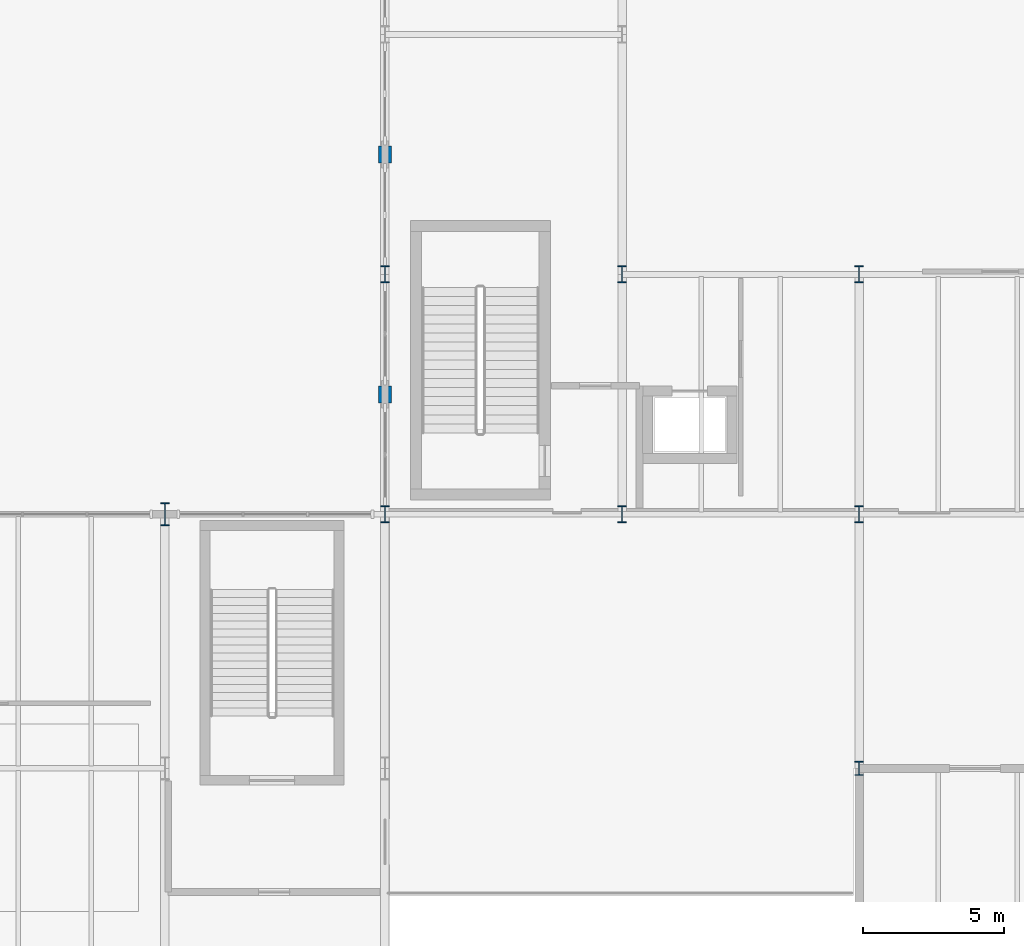
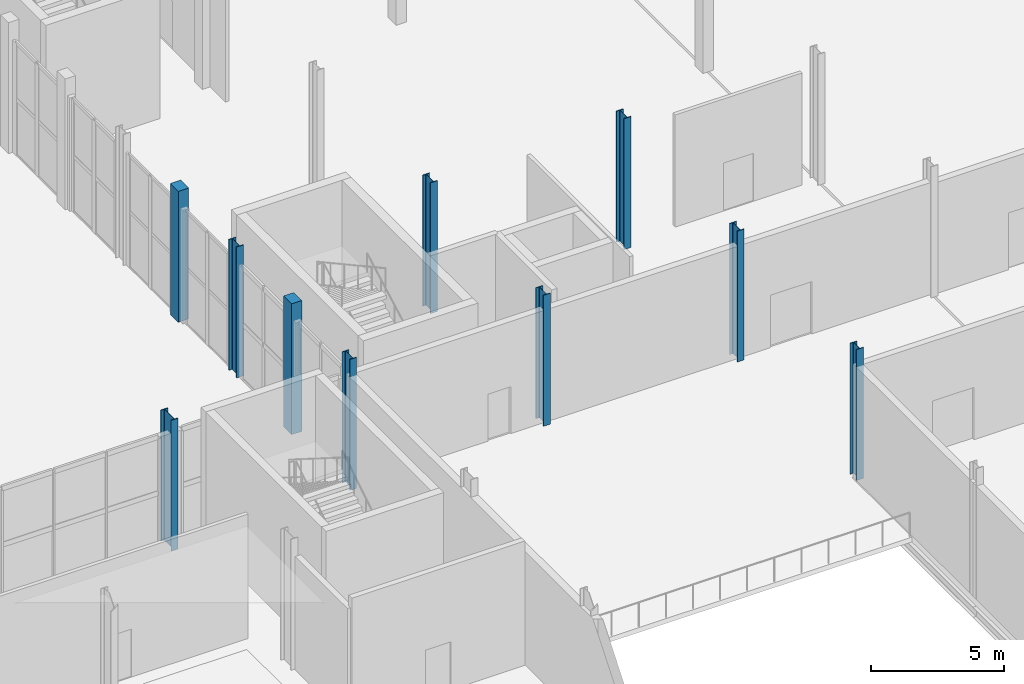
# One storey, part 7 of 84: 10 columns.
"""IFC4 building model written with IfcOpenShell, lengths in metres."""

import ifcopenshell
import ifcopenshell.guid

model = None  # the IFC model being written
_history = None  # IfcOwnerHistory: only IFC2X3 demands one
_inside = {}  # id of a spatial element -> (the spatial element, [elements in it])
_under = {}  # id of a project, library or spatial element -> (it, [spatial elements below it])
_declared = {}  # id of a project -> (the project, [libraries it declares])
_typed = {}  # id of a type object -> (the type object, [elements of that type])
_made_of = {}  # id of a material, layer set ... -> (it, [elements and type objects made of it])


def new_model(schema):
    """Start an empty IFC model of exactly this schema.

    Asked for "IFC4X3", IfcOpenShell would pick the latest addendum, in which some entities
    have other attributes; the version numbers below select the first issue.
    IFC2X3 requires an IfcOwnerHistory on every rooted entity: one is made here for all.
    """
    global model, _history
    if schema == "IFC4X3":
        model = ifcopenshell.file(schema_version=(4, 3, 0, 0))
    else:
        model = ifcopenshell.file(schema=schema)
    _inside.clear()
    _under.clear()
    _declared.clear()
    _typed.clear()
    _made_of.clear()
    _history = None
    if model.schema == "IFC2X3":
        org = make("IfcOrganization", Name="unknown")
        user = make(
            "IfcPersonAndOrganization",
            ThePerson=make("IfcPerson", FamilyName="unknown"),
            TheOrganization=org,
        )
        app = make(
            "IfcApplication",
            ApplicationDeveloper=org,
            Version="unknown",
            ApplicationFullName="unknown",
            ApplicationIdentifier="unknown",
        )
        _history = make(
            "IfcOwnerHistory",
            OwningUser=user,
            OwningApplication=app,
            ChangeAction="ADDED",
            CreationDate=0,
        )
    return model


def make(cls, **values):
    """One entity of the class cls with the attributes given. An attribute that is None is left unset."""
    return model.create_entity(
        cls, **{name: value for name, value in values.items() if value is not None}
    )


def rooted(cls, **values):
    """An entity with a GlobalId (a new one), such as an element, a storey or a relation."""
    return make(cls, GlobalId=ifcopenshell.guid.new(), OwnerHistory=_history, **values)


def si_unit(unit_type, name, prefix=None):
    """IfcSIUnit, for example si_unit("LENGTHUNIT", "METRE", prefix="MILLI")."""
    return make("IfcSIUnit", UnitType=unit_type, Prefix=prefix, Name=name)


def assignment(units):
    """IfcUnitAssignment: the units of a project."""
    return None if units is None else make("IfcUnitAssignment", Units=units)


def point(xyz):
    """IfcCartesianPoint."""
    return None if xyz is None else make("IfcCartesianPoint", Coordinates=xyz)


def direction(xyz):
    """IfcDirection."""
    return None if xyz is None else make("IfcDirection", DirectionRatios=xyz)


def frame(location, z_axis=None, x_axis=None):
    """IfcAxis2Placement3D, a coordinate frame: its origin and axes. An axis left out is left unset."""
    return make(
        "IfcAxis2Placement3D",
        Location=point(location),
        Axis=direction(z_axis),
        RefDirection=direction(x_axis),
    )


def frame_2d(location, x_axis=None):
    """IfcAxis2Placement2D, a coordinate frame in the plane: its origin and x axis."""
    return make(
        "IfcAxis2Placement2D", Location=point(location), RefDirection=direction(x_axis)
    )


def origin():
    """The frame at (0, 0, 0) with its axes left unset."""
    return frame((0.0, 0.0, 0.0))


def origin_2d():
    """The frame at (0, 0) in the plane with its x axis left unset."""
    return frame_2d((0.0, 0.0))


def place(relative_to, where):
    """IfcLocalPlacement: puts the frame where relative to a parent placement (None: the world)."""
    return make(
        "IfcLocalPlacement", PlacementRelTo=relative_to, RelativePlacement=where
    )


def context(
    kind, dimensions, precision=None, world=None, true_north=None, identifier=None
):
    """IfcGeometricRepresentationContext, for example the 3D "Model" context."""
    return make(
        "IfcGeometricRepresentationContext",
        ContextIdentifier=identifier,
        ContextType=kind,
        CoordinateSpaceDimension=dimensions,
        Precision=precision,
        WorldCoordinateSystem=world,
        TrueNorth=true_north,
    )


def subcontext(parent, identifier, kind, view, scale=None):
    """IfcGeometricRepresentationSubContext, for example "Body" below "Model"."""
    return make(
        "IfcGeometricRepresentationSubContext",
        ContextIdentifier=identifier,
        ContextType=kind,
        ParentContext=parent,
        TargetScale=scale,
        TargetView=view,
    )


def project(units=None, contexts=None):
    """IfcProject with its units and contexts."""
    return rooted(
        "IfcProject",
        Name="project",
        RepresentationContexts=contexts,
        UnitsInContext=assignment(units),
    )


def spatial(cls, under=None, at=None, **own):
    """A site, building, storey or space (cls), placed at a placement, below another one or the project."""
    s = rooted(cls, ObjectPlacement=at, **own)
    if under is not None:
        _under.setdefault(under.id(), (under, []))[1].append(s)
    return s


def profile(cls, at=None, kind="AREA", **sizes):
    """A parametric profile (cls). Its sizes go by their IFC names, for example OverallWidth=200.0."""
    return make(cls, ProfileType=kind, Position=at, **sizes)


def rectangle(**sizes):
    """IfcRectangleProfileDef."""
    return profile("IfcRectangleProfileDef", **sizes)


def i_section(**sizes):
    """IfcIShapeProfileDef."""
    return profile("IfcIShapeProfileDef", **sizes)


def extrude(swept, where, along, depth):
    """IfcExtrudedAreaSolid: the profile swept, set in the frame where, extruded along a direction by depth."""
    return make(
        "IfcExtrudedAreaSolid",
        SweptArea=swept,
        Position=where,
        ExtrudedDirection=direction(along),
        Depth=depth,
    )


def shape(context_of_items, identifier, shape_type, items):
    """IfcShapeRepresentation: the items that make up one representation, for example the "Body"."""
    return make(
        "IfcShapeRepresentation",
        ContextOfItems=context_of_items,
        RepresentationIdentifier=identifier,
        RepresentationType=shape_type,
        Items=items,
    )


def material(Name=None, Category=None):
    """IfcMaterial."""
    return make("IfcMaterial", Name=Name, Category=Category)


def material_profile(
    of_material, cross_section, Name=None, Category=None, Priority=None
):
    """IfcMaterialProfile: a cross section and its material."""
    return make(
        "IfcMaterialProfile",
        Name=Name,
        Material=of_material,
        Profile=cross_section,
        Priority=Priority,
        Category=Category,
    )


def profile_set(profiles, Name=None, composite=None):
    """IfcMaterialProfileSet."""
    return make(
        "IfcMaterialProfileSet",
        Name=Name,
        MaterialProfiles=profiles,
        CompositeProfile=composite,
    )


def made_of(thing, what):
    """Note that an element or type object is made of a material, layer set ...; save() writes the relation."""
    if what is not None:
        _made_of.setdefault(what.id(), (what, []))[1].append(thing)
    return thing


def type_object(cls, material=None, **own):
    """A type object (cls), such as IfcWallType, which elements share."""
    return made_of(rooted(cls, **own), material)


def element(
    cls,
    number,
    at=None,
    inside=None,
    cuts=None,
    type_object=None,
    material=None,
    context=None,
    identifier="Body",
    shape_type=None,
    held_by="IfcProductDefinitionShape",
    body=None,
    shapes=None,
    **own,
):
    """One element of the class cls, such as IfcWall. Its Tag is "e" and its number.

    at: its placement. inside: the storey or other place that contains it. cuts: it is an
    opening in that element (IfcRelVoidsElement). A single representation is given by context,
    identifier, shape_type and body (its items); several are given by shapes. held_by: the class
    of the entity that holds the representations. save() writes the other relations.
    """
    e = rooted(cls, Tag="e%d" % number, ObjectPlacement=at, **own)
    if body is not None:
        shapes = [shape(context, identifier, shape_type, body)]
    if shapes is not None:
        e.Representation = make(held_by, Representations=shapes)
    if inside is not None:
        _inside.setdefault(inside.id(), (inside, []))[1].append(e)
    if cuts is not None:
        rooted(
            "IfcRelVoidsElement", RelatingBuildingElement=cuts, RelatedOpeningElement=e
        )
    if type_object is not None:
        _typed.setdefault(type_object.id(), (type_object, []))[1].append(e)
    return made_of(e, material)


def aggregate(whole, parts):
    """IfcRelAggregates: a whole, such as a stair, and the parts it consists of."""
    return rooted("IfcRelAggregates", RelatingObject=whole, RelatedObjects=parts)


def save(model, path):
    """Write the relations noted so far, then the file.

    IfcRelAggregates (storeys below a building ...), IfcRelContainedInSpatialStructure (elements
    in a storey), IfcRelDefinesByType, IfcRelAssociatesMaterial and IfcRelDeclares: one each for
    every whole, place, type object, material and project.
    """
    for whole, parts in _under.values():
        aggregate(whole, parts)
    for where, things in _inside.values():
        rooted(
            "IfcRelContainedInSpatialStructure",
            RelatedElements=things,
            RelatingStructure=where,
        )
    for kind, things in _typed.values():
        rooted("IfcRelDefinesByType", RelatedObjects=things, RelatingType=kind)
    for what, things in _made_of.values():
        rooted("IfcRelAssociatesMaterial", RelatedObjects=things, RelatingMaterial=what)
    for by, libraries in _declared.values():
        rooted("IfcRelDeclares", RelatingContext=by, RelatedDefinitions=libraries)
    model.write(path)


model = new_model("IFC4")

# Units and contexts
model_context = context("Model", 3, precision=1e-05, world=origin(), true_north=direction((0.0, 1.0)))
body_context = subcontext(model_context, "Body", "Model", "MODEL_VIEW")
ifc_project = project(units=[si_unit("LENGTHUNIT", "METRE"), si_unit("AREAUNIT", "SQUARE_METRE"), si_unit("VOLUMEUNIT", "CUBIC_METRE"), si_unit("PLANEANGLEUNIT", "RADIAN"), si_unit("MASSUNIT", "GRAM", prefix="KILO")], contexts=[model_context])

# Site, building, storey
site_placement = place(None, origin())
site = spatial("IfcSite", under=ifc_project, at=site_placement, CompositionType="ELEMENT")
building_placement = place(site_placement, origin())
building = spatial("IfcBuilding", under=site, at=building_placement, Name="Sefraquen Railside Congress Hotel", CompositionType="ELEMENT")
storey_placement = place(building_placement, origin())
storey = spatial("IfcBuildingStorey", under=building, at=storey_placement, Name="L00", CompositionType="ELEMENT", Elevation=0.0)

# Columns
ifc_material_1 = material(Name="Steel S355JR", Category="steel")
ifc_material_profile_1 = material_profile(ifc_material_1, i_section(OverallWidth=0.300048828125, OverallDepth=0.5, WebThickness=0.014404296875, FlangeThickness=0.028076171875, FilletRadius=0.027099609375, at=origin_2d()), Name="HEB 500")
ifc_profile_set_1 = profile_set([ifc_material_profile_1], Name="Steel S355JR")
column_type_1 = type_object("IfcColumnType", Name="TC-HEB-500", PredefinedType="COLUMN", material=ifc_profile_set_1)
column_1_placement = place(storey_placement, frame((120.0, 45.0, 0.0), z_axis=(0.0, 0.0, 1.0), x_axis=(1.0, 0.0, 0.0)))
element("IfcColumn", 1, at=column_1_placement, inside=storey, type_object=column_type_1, Name="Structural column 16-F L00", PredefinedType="COLUMN", context=body_context, shape_type="SweptSolid", body=[
    extrude(i_section(OverallWidth=0.300048828125, OverallDepth=0.5, WebThickness=0.014404296875, FlangeThickness=0.028076171875, FilletRadius=0.027099609375, at=origin_2d()), origin(), (0.0, 0.0, 1.0), 6.0),
])
ifc_material_profile_2 = material_profile(ifc_material_1, i_section(OverallWidth=0.300048828125, OverallDepth=0.60009765625, WebThickness=0.015380859375, FlangeThickness=0.030029296875, FilletRadius=0.027099609375, at=origin_2d()), Name="HEB 600")
ifc_profile_set_2 = profile_set([ifc_material_profile_2], Name="Steel S355JR")
column_type_2 = type_object("IfcColumnType", Name="TC-HEB-600", PredefinedType="COLUMN", material=ifc_profile_set_2)
for number, where, z_axis, x_axis, name in (
    (2, (103.199951171875, 54.0, 0.0), (0.0, 0.0, 1.0), (1.0, 0.0, 0.0), "Structural column 14-G L00"),
    (3, (103.199951171875, 62.5, 0.0), (0.0, 0.0, 1.0), (1.0, 0.0, 0.0), "Structural column 14-H L00"),
    (4, (111.60009765625, 54.0, 0.0), (0.0, 0.0, 1.0), (1.0, 0.0, 0.0), "Structural column 15-G L00"),
    (5, (111.60009765625, 62.5, 0.0), (0.0, 0.0, 1.0), (1.0, 0.0, 0.0), "Structural column 15-H L00"),
    (6, (120.0, 54.0, 0.0), (0.0, 0.0, 1.0), (1.0, 0.0, 0.0), "Structural column 16-G L00"),
    (7, (120.0, 62.5, 0.0), (0.0, 0.0, 1.0), (1.0, 0.0, 0.0), "Structural column 16-H L00"),
):
    element("IfcColumn", number, at=place(storey_placement, frame(where, z_axis=z_axis, x_axis=x_axis)), inside=storey, type_object=column_type_2, Name=name, PredefinedType="COLUMN", context=body_context, shape_type="SweptSolid", body=[
        extrude(i_section(OverallWidth=0.300048828125, OverallDepth=0.60009765625, WebThickness=0.015380859375, FlangeThickness=0.030029296875, FilletRadius=0.027099609375, at=origin_2d()), origin(), (0.0, 0.0, 1.0), 6.0),
    ])
ifc_material_profile_3 = material_profile(ifc_material_1, i_section(OverallWidth=0.300048828125, OverallDepth=0.800048828125, WebThickness=0.017578125, FlangeThickness=0.032958984375, FilletRadius=0.030029296875, at=origin_2d()), Name="HEB 800")
ifc_profile_set_3 = profile_set([ifc_material_profile_3], Name="Steel S355JR")
column_type_3 = type_object("IfcColumnType", Name="TC-HEB-800", PredefinedType="COLUMN", material=ifc_profile_set_3)
column_2_placement = place(storey_placement, frame((95.39990234375, 54.0, 0.0), z_axis=(0.0, 0.0, 1.0), x_axis=(1.0, 0.0, 0.0)))
element("IfcColumn", 8, at=column_2_placement, inside=storey, type_object=column_type_3, Name="Structural column 13-G L00", PredefinedType="COLUMN", context=body_context, shape_type="SweptSolid", body=[
    extrude(i_section(OverallWidth=0.300048828125, OverallDepth=0.800048828125, WebThickness=0.017578125, FlangeThickness=0.032958984375, FilletRadius=0.030029296875, at=origin_2d()), origin(), (0.0, 0.0, 1.0), 6.0),
])
ifc_material_2 = material(Name="Concrete C50/60", Category="concrete")
ifc_material_profile_4 = material_profile(ifc_material_2, rectangle(XDim=0.449951171875, YDim=0.60009765625, at=origin_2d()), Name="RC 600x450")
ifc_profile_set_4 = profile_set([ifc_material_profile_4], Name="Concrete C50/60")
column_type_4 = type_object("IfcColumnType", Name="TC-PIL-600", PredefinedType="PILASTER", material=ifc_profile_set_4)
for number, where, z_axis, x_axis, name in (
    (9, (103.199951171875, 58.25, 0.0), (0.0, 0.0, 1.0), (1.0, 0.0, 0.0), "Courtyard limestone pilaster CPIL-E1 L00"),
    (10, (103.199951171875, 66.75, 0.0), (0.0, 0.0, 1.0), (1.0, 0.0, 0.0), "Courtyard limestone pilaster CPIL-E2 L00"),
):
    element("IfcColumn", number, at=place(storey_placement, frame(where, z_axis=z_axis, x_axis=x_axis)), inside=storey, type_object=column_type_4, Name=name, PredefinedType="PILASTER", context=body_context, shape_type="SweptSolid", body=[
        extrude(rectangle(XDim=0.449951171875, YDim=0.60009765625, at=origin_2d()), origin(), (0.0, 0.0, 1.0), 6.0),
    ])

save(model, "model.ifc")
